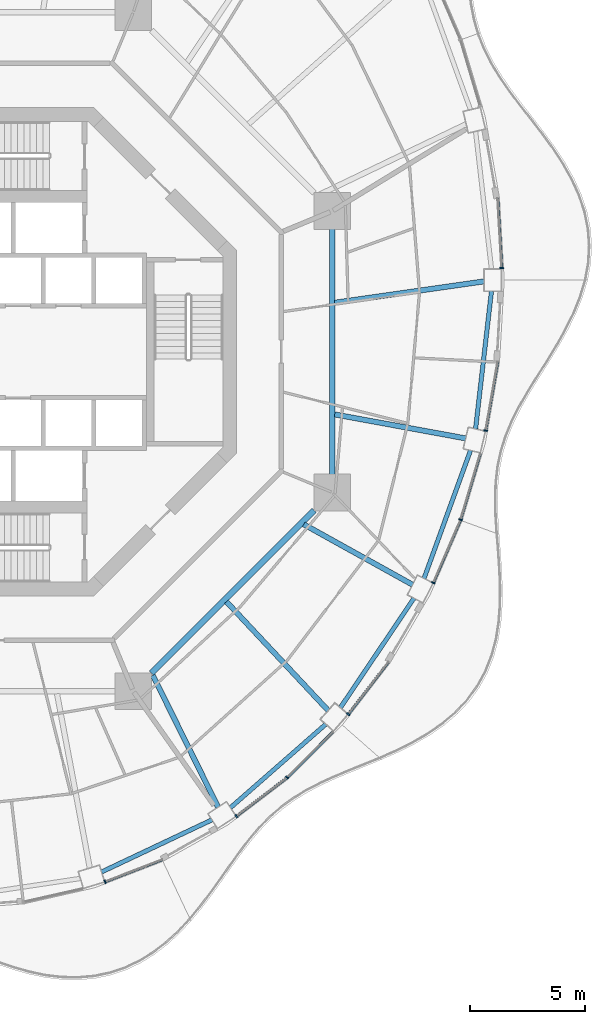
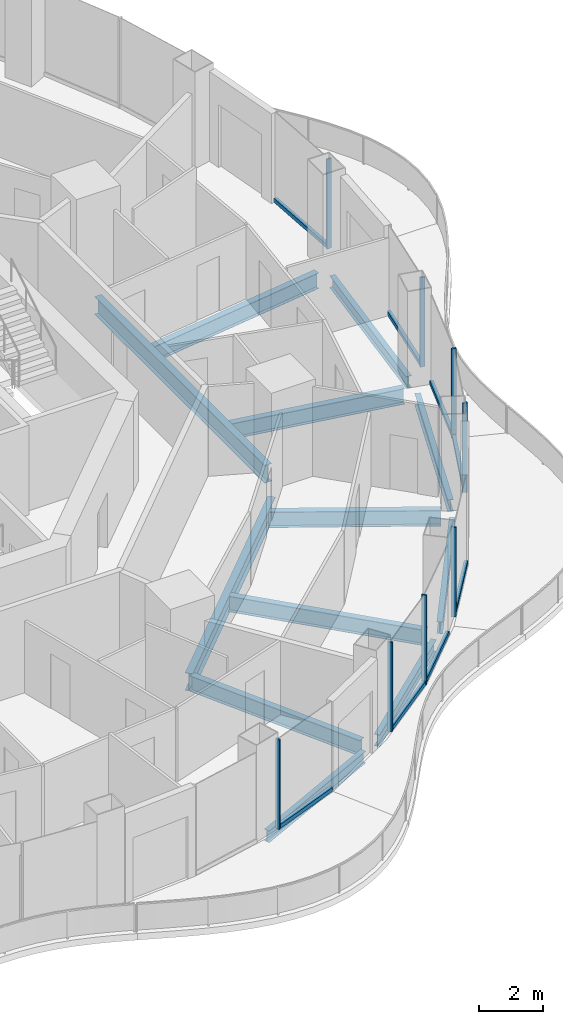
# One storey, part 4 of 18: 16 members, 12 beams, 8 elements without a shape of their own.
"""IFC4 building model written with IfcOpenShell, lengths in metres."""

from ifc_helpers import new_model, si_unit, direction, frame, origin, origin_2d, place, context, subcontext, project, spatial, rectangle, i_section, extrude, material, layer, layer_set, material_profile, profile_set, type_object, element, aggregate, save


model = new_model("IFC4")

# Units and contexts
model_context = context("Model", 3, precision=1e-05, world=origin(), true_north=direction((0.0, 1.0)))
body_context = subcontext(model_context, "Body", "Model", "MODEL_VIEW")
ifc_project = project(units=[si_unit("LENGTHUNIT", "METRE"), si_unit("AREAUNIT", "SQUARE_METRE"), si_unit("VOLUMEUNIT", "CUBIC_METRE"), si_unit("PLANEANGLEUNIT", "RADIAN"), si_unit("MASSUNIT", "GRAM", prefix="KILO")], contexts=[model_context])

# Site, building, storey
site_placement = place(None, origin())
site = spatial("IfcSite", under=ifc_project, at=site_placement, CompositionType="ELEMENT")
building_placement = place(site_placement, origin())
building = spatial("IfcBuilding", under=site, at=building_placement, Name="Nagisa Residences", CompositionType="ELEMENT")
storey_placement = place(building_placement, frame((0.0, 0.0, 215.89990234375)))
storey = spatial("IfcBuildingStorey", under=building, at=storey_placement, Name="L54", CompositionType="ELEMENT", Elevation=215.89990234375)

# Curtain wall, member
ifc_material_1 = material(Name="Concrete-coloured aluminium curtain wall system", Category="concrete")
ifc_layer = layer(ifc_material_1, 0.159912109375)
ifc_layer_set = layer_set([ifc_layer], Name="CW1 CURTAIN WALL")
curtain_wall_type = type_object("IfcCurtainWallType", Name="CW1 CURTAIN WALL", PredefinedType="NOTDEFINED", material=ifc_layer_set)
curtain_wall_1_placement = place(storey_placement, origin())
curtain_wall_1 = element("IfcCurtainWall", 1, at=curtain_wall_1_placement, inside=storey, type_object=curtain_wall_type, Name="cw:CW1:L54:00", PredefinedType="NOTDEFINED")
ifc_material_2 = material(Name="Concrete-coloured aluminium", Category="concrete")
ifc_material_profile_1 = material_profile(ifc_material_2, rectangle(XDim=0.159912109375, YDim=0.06005859375, at=origin_2d()), Name="CW1 MULLION 160x60")
ifc_profile_set_1 = profile_set([ifc_material_profile_1], Name="Concrete-coloured aluminium")
member_type_1 = type_object("IfcMemberType", Name="CW1 MULLION 160x60", PredefinedType="MULLION", material=ifc_profile_set_1)
member_1_placement = place(storey_placement, frame((22.15966796875, 3.642333984375, 0.0), z_axis=(0.0, 0.0, 1.0), x_axis=(-0.998345305184, -0.057503492216, 0.0)))
member_1 = element("IfcMember", 2, at=member_1_placement, type_object=member_type_1, Name="CW1 mullion", PredefinedType="MULLION", context=body_context, shape_type="SweptSolid", body=[
    extrude(rectangle(XDim=0.159912109375, YDim=0.06005859375, at=origin_2d()), origin(), (0.0, 0.0, 1.0), 3.440185546875),
])

curtain_wall_2_placement = place(storey_placement, origin())
curtain_wall_2 = element("IfcCurtainWall", 3, at=curtain_wall_2_placement, inside=storey, type_object=curtain_wall_type, Name="cw:CW1:L54:38", PredefinedType="NOTDEFINED")
member_2_placement = place(storey_placement, frame((4.895263671875, -23.073486328125, 0.0), z_axis=(0.0, 0.0, 1.0), x_axis=(-0.360327770268, 0.932825759707, 0.0)))
member_2 = element("IfcMember", 4, at=member_2_placement, type_object=member_type_1, Name="CW1 mullion", PredefinedType="MULLION", context=body_context, shape_type="SweptSolid", body=[
    extrude(rectangle(XDim=0.159912109375, YDim=0.06005859375, at=origin_2d()), origin(), (0.0, 0.0, 1.0), 3.440185546875),
])

curtain_wall_3_placement = place(storey_placement, origin())
curtain_wall_3 = element("IfcCurtainWall", 5, at=curtain_wall_3_placement, inside=storey, type_object=curtain_wall_type, Name="cw:CW1:L54:40", PredefinedType="NOTDEFINED")
member_3_placement = place(storey_placement, frame((10.6083984375, -20.21826171875, 0.0), z_axis=(0.0, 0.0, 1.0), x_axis=(-0.605255421737, 0.79603132756, 0.0)))
member_3 = element("IfcMember", 6, at=member_3_placement, type_object=member_type_1, Name="CW1 mullion", PredefinedType="MULLION", context=body_context, shape_type="SweptSolid", body=[
    extrude(rectangle(XDim=0.159912109375, YDim=0.06005859375, at=origin_2d()), origin(), (0.0, 0.0, 1.0), 3.440185546875),
])

curtain_wall_4_placement = place(storey_placement, origin())
curtain_wall_4 = element("IfcCurtainWall", 7, at=curtain_wall_4_placement, inside=storey, type_object=curtain_wall_type, Name="cw:CW1:L54:41", PredefinedType="NOTDEFINED")
member_4_placement = place(storey_placement, frame((12.817626953125, -18.534423828125, 0.0), z_axis=(0.0, 0.0, 1.0), x_axis=(-0.706376885714, 0.707835924016, 0.0)))
member_4 = element("IfcMember", 8, at=member_4_placement, type_object=member_type_1, Name="CW1 mullion", PredefinedType="MULLION", context=body_context, shape_type="SweptSolid", body=[
    extrude(rectangle(XDim=0.159912109375, YDim=0.06005859375, at=origin_2d()), origin(), (0.0, 0.0, 1.0), 3.440185546875),
])

curtain_wall_5_placement = place(storey_placement, origin())
curtain_wall_5 = element("IfcCurtainWall", 9, at=curtain_wall_5_placement, inside=storey, type_object=curtain_wall_type, Name="cw:CW1:L54:42", PredefinedType="NOTDEFINED")
member_5_placement = place(storey_placement, frame((15.480224609375, -15.78125, 0.0), z_axis=(0.0, 0.0, 1.0), x_axis=(-0.792070340816, 0.610429828235, 0.0)))
member_5 = element("IfcMember", 10, at=member_5_placement, type_object=member_type_1, Name="CW1 mullion", PredefinedType="MULLION", context=body_context, shape_type="SweptSolid", body=[
    extrude(rectangle(XDim=0.159912109375, YDim=0.06005859375, at=origin_2d()), origin(), (0.0, 0.0, 1.0), 3.440185546875),
])

curtain_wall_6_placement = place(storey_placement, origin())
curtain_wall_6 = element("IfcCurtainWall", 11, at=curtain_wall_6_placement, inside=storey, type_object=curtain_wall_type, Name="cw:CW1:L54:44", PredefinedType="NOTDEFINED")
member_6_placement = place(storey_placement, frame((19.1826171875, -10.05908203125, 0.0), z_axis=(0.0, 0.0, 1.0), x_axis=(-0.917543276295, 0.397635934147, 0.0)))
member_6 = element("IfcMember", 12, at=member_6_placement, type_object=member_type_1, Name="CW1 mullion", PredefinedType="MULLION", context=body_context, shape_type="SweptSolid", body=[
    extrude(rectangle(XDim=0.159912109375, YDim=0.06005859375, at=origin_2d()), origin(), (0.0, 0.0, 1.0), 3.440185546875),
])

curtain_wall_7_placement = place(storey_placement, origin())
curtain_wall_7 = element("IfcCurtainWall", 13, at=curtain_wall_7_placement, inside=storey, type_object=curtain_wall_type, Name="cw:CW1:L54:45", PredefinedType="NOTDEFINED")
member_7_placement = place(storey_placement, frame((20.36962890625, -7.3125, 0.0), z_axis=(0.0, 0.0, 1.0), x_axis=(-0.958271310082, 0.285860274038, 0.0)))
member_7 = element("IfcMember", 14, at=member_7_placement, type_object=member_type_1, Name="CW1 mullion", PredefinedType="MULLION", context=body_context, shape_type="SweptSolid", body=[
    extrude(rectangle(XDim=0.159912109375, YDim=0.06005859375, at=origin_2d()), origin(), (0.0, 0.0, 1.0), 3.440185546875),
])

curtain_wall_8_placement = place(storey_placement, origin())
curtain_wall_8 = element("IfcCurtainWall", 15, at=curtain_wall_8_placement, inside=storey, type_object=curtain_wall_type, Name="cw:CW1:L54:46", PredefinedType="NOTDEFINED")
member_8_placement = place(storey_placement, frame((21.46240234375, -3.435546875, 0.0), z_axis=(0.0, 0.0, 1.0), x_axis=(-0.985063604377, 0.172190868898, 0.0)))
member_8 = element("IfcMember", 16, at=member_8_placement, type_object=member_type_1, Name="CW1 mullion", PredefinedType="MULLION", context=body_context, shape_type="SweptSolid", body=[
    extrude(rectangle(XDim=0.159912109375, YDim=0.06005859375, at=origin_2d()), origin(), (0.0, 0.0, 1.0), 3.440185546875),
])

# Member
ifc_material_3 = material(Name="Concrete-coloured aluminium", Category="concrete")
ifc_material_profile_2 = material_profile(ifc_material_3, rectangle(XDim=0.1201171875, YDim=0.14990234375, at=origin_2d()), Name="CW1 TRANSOM 120x150")
ifc_profile_set_2 = profile_set([ifc_material_profile_2], Name="Concrete-coloured aluminium")
member_type_2 = type_object("IfcMemberType", Name="CW1 TRANSOM 120x150", PredefinedType="USERDEFINED", material=ifc_profile_set_2)
member_9_placement = place(storey_placement, frame((22.161376953125, 3.6123046875, 0.0751953125), z_axis=(-0.057528189427, 0.998343882348, 0.0), x_axis=(-0.998343882348, -0.057528189427, 0.0)))
member_9 = element("IfcMember", 17, at=member_9_placement, type_object=member_type_2, Name="CW1 transom", ObjectType="TRANSOM", PredefinedType="USERDEFINED", context=body_context, shape_type="SweptSolid", body=[
    extrude(rectangle(XDim=0.1201171875, YDim=0.14990234375, at=origin_2d()), origin(), (0.0, 0.0, 1.0), 3.0810546875),
])

aggregate(curtain_wall_1, [member_1, member_9])

member_10_placement = place(storey_placement, frame((4.867431640625, -23.084228515625, 0.0751953125), z_axis=(0.932826499224, 0.360325855782, 0.0), x_axis=(-0.360325855782, 0.932826499224, 0.0)))
member_10 = element("IfcMember", 18, at=member_10_placement, type_object=member_type_2, Name="CW1 transom", ObjectType="TRANSOM", PredefinedType="USERDEFINED", context=body_context, shape_type="SweptSolid", body=[
    extrude(rectangle(XDim=0.1201171875, YDim=0.14990234375, at=origin_2d()), origin(), (0.0, 0.0, 1.0), 2.696044921875),
])

aggregate(curtain_wall_2, [member_2, member_10])

member_11_placement = place(storey_placement, frame((10.584716796875, -20.236328125, 0.0751953125), z_axis=(0.796032266948, 0.605254186253, 0.0), x_axis=(-0.605254186253, 0.796032266948, 0.0)))
member_11 = element("IfcMember", 19, at=member_11_placement, type_object=member_type_2, Name="CW1 transom", ObjectType="TRANSOM", PredefinedType="USERDEFINED", context=body_context, shape_type="SweptSolid", body=[
    extrude(rectangle(XDim=0.1201171875, YDim=0.14990234375, at=origin_2d()), origin(), (0.0, 0.0, 1.0), 2.78857421875),
])

aggregate(curtain_wall_3, [member_3, member_11])

member_12_placement = place(storey_placement, frame((12.79638671875, -18.5556640625, 0.0751953125), z_axis=(0.707836044127, 0.706376765356, 0.0), x_axis=(-0.706376765356, 0.707836044127, 0.0)))
member_12 = element("IfcMember", 20, at=member_12_placement, type_object=member_type_2, Name="CW1 transom", ObjectType="TRANSOM", PredefinedType="USERDEFINED", context=body_context, shape_type="SweptSolid", body=[
    extrude(rectangle(XDim=0.1201171875, YDim=0.14990234375, at=origin_2d()), origin(), (0.0, 0.0, 1.0), 2.84423828125),
])

aggregate(curtain_wall_4, [member_4, member_12])

member_13_placement = place(storey_placement, frame((15.4619140625, -15.80517578125, 0.0751953125), z_axis=(0.610438565676, 0.792063607001, 0.0), x_axis=(-0.792063607001, 0.610438565676, 0.0)))
member_13 = element("IfcMember", 21, at=member_13_placement, type_object=member_type_2, Name="CW1 transom", ObjectType="TRANSOM", PredefinedType="USERDEFINED", context=body_context, shape_type="SweptSolid", body=[
    extrude(rectangle(XDim=0.1201171875, YDim=0.14990234375, at=origin_2d()), origin(), (0.0, 0.0, 1.0), 2.90087890625),
])

aggregate(curtain_wall_5, [member_5, member_13])

member_14_placement = place(storey_placement, frame((19.170654296875, -10.086669921875, 0.0751953125), z_axis=(0.397616567135, 0.917551669139, 0.0), x_axis=(-0.917551669139, 0.397616567135, 0.0)))
member_14 = element("IfcMember", 22, at=member_14_placement, type_object=member_type_2, Name="CW1 transom", ObjectType="TRANSOM", PredefinedType="USERDEFINED", context=body_context, shape_type="SweptSolid", body=[
    extrude(rectangle(XDim=0.1201171875, YDim=0.14990234375, at=origin_2d()), origin(), (0.0, 0.0, 1.0), 3.001953125),
])

aggregate(curtain_wall_6, [member_6, member_14])

member_15_placement = place(storey_placement, frame((20.361083984375, -7.341064453125, 0.0751953125), z_axis=(0.285881452443, 0.958264992134, 0.0), x_axis=(-0.958264992134, 0.285881452443, 0.0)))
member_15 = element("IfcMember", 23, at=member_15_placement, type_object=member_type_2, Name="CW1 transom", ObjectType="TRANSOM", PredefinedType="USERDEFINED", context=body_context, shape_type="SweptSolid", body=[
    extrude(rectangle(XDim=0.1201171875, YDim=0.14990234375, at=origin_2d()), origin(), (0.0, 0.0, 1.0), 3.040283203125),
])

aggregate(curtain_wall_7, [member_7, member_15])

member_16_placement = place(storey_placement, frame((21.45703125, -3.465087890625, 0.0751953125), z_axis=(0.172241318156, 0.985054784426, 0.0), x_axis=(-0.985054784426, 0.172241318156, 0.0)))
member_16 = element("IfcMember", 24, at=member_16_placement, type_object=member_type_2, Name="CW1 transom", ObjectType="TRANSOM", PredefinedType="USERDEFINED", context=body_context, shape_type="SweptSolid", body=[
    extrude(rectangle(XDim=0.1201171875, YDim=0.14990234375, at=origin_2d()), origin(), (0.0, 0.0, 1.0), 3.0673828125),
])

aggregate(curtain_wall_8, [member_8, member_16])

# Beams
ifc_material_4 = material(Name="Steel ASTM A572 Gr 50", Category="steel")
ifc_material_profile_3 = material_profile(ifc_material_4, i_section(OverallWidth=0.2529296875, OverallDepth=0.677978515625, WebThickness=0.01171875, FlangeThickness=0.016357421875, at=origin_2d()), Name="W690x125")
ifc_profile_set_3 = profile_set([ifc_material_profile_3], Name="Steel ASTM A572 Gr 50")
beam_type_1 = type_object("IfcBeamType", Name="Inner ring beam W690x125", PredefinedType="BEAM", material=ifc_profile_set_3)
beam_1_placement = place(storey_placement, frame((6.90869140625, -13.99609375, -0.598876953125), z_axis=(0.707106781187, 0.707106781187, 0.0), x_axis=(-0.707106781187, 0.707106781187, 0.0)))
element("IfcBeam", 25, at=beam_1_placement, inside=storey, type_object=beam_type_1, Name="beam:L54:ib7", PredefinedType="BEAM", context=body_context, shape_type="SweptSolid", body=[
    extrude(i_section(OverallWidth=0.2529296875, OverallDepth=0.677978515625, WebThickness=0.01171875, FlangeThickness=0.016357421875, at=origin_2d()), origin(), (0.0, 0.0, 1.0), 10.023193359375),
])
beam_2_placement = place(storey_placement, frame((14.781982421875, -5.343017578125, -0.598876953125), z_axis=(0.0, 1.0, 0.0), x_axis=(-1.0, 0.0, 0.0)))
element("IfcBeam", 26, at=beam_2_placement, inside=storey, type_object=beam_type_1, Name="beam:L54:ib8", PredefinedType="BEAM", context=body_context, shape_type="SweptSolid", body=[
    extrude(i_section(OverallWidth=0.2529296875, OverallDepth=0.677978515625, WebThickness=0.01171875, FlangeThickness=0.016357421875, at=origin_2d()), origin(), (0.0, 0.0, 1.0), 10.68603515625),
])
ifc_material_5 = material(Name="Steel ASTM A572 Gr 50", Category="steel")
ifc_material_profile_4 = material_profile(ifc_material_5, i_section(OverallWidth=0.18994140625, OverallDepth=0.45703125, WebThickness=0.009033203125, FlangeThickness=0.014404296875, at=origin_2d()), Name="W460x74")
ifc_profile_set_4 = profile_set([ifc_material_profile_4], Name="Steel ASTM A572 Gr 50")
beam_type_2 = type_object("IfcBeamType", Name="Perimeter ring beam W460x74", PredefinedType="BEAM", material=ifc_profile_set_4)
beam_3_placement = place(storey_placement, frame((4.7392578125, -22.648681640625, -0.48828125), z_axis=(0.904133867308, 0.42724928319, 0.0), x_axis=(-0.42724928319, 0.904133867308, 0.0)))
element("IfcBeam", 27, at=beam_3_placement, inside=storey, type_object=beam_type_2, Name="beam:L54:pb20", PredefinedType="BEAM", context=body_context, shape_type="SweptSolid", body=[
    extrude(i_section(OverallWidth=0.18994140625, OverallDepth=0.45703125, WebThickness=0.009033203125, FlangeThickness=0.014404296875, at=origin_2d()), origin(), (0.0, 0.0, 1.0), 5.317138671875),
])
beam_4_placement = place(storey_placement, frame((10.349853515625, -19.850341796875, -0.48828125), z_axis=(0.75242320672, 0.65867998147, 0.0), x_axis=(-0.65867998147, 0.75242320672, 0.0)))
element("IfcBeam", 28, at=beam_4_placement, inside=storey, type_object=beam_type_2, Name="beam:L54:pb21", PredefinedType="BEAM", context=body_context, shape_type="SweptSolid", body=[
    extrude(i_section(OverallWidth=0.18994140625, OverallDepth=0.45703125, WebThickness=0.009033203125, FlangeThickness=0.014404296875, at=origin_2d()), origin(), (0.0, 0.0, 1.0), 5.5185546875),
])
beam_5_placement = place(storey_placement, frame((15.13671875, -15.49462890625, -0.48828125), z_axis=(0.558109119402, 0.829767564345, 0.0), x_axis=(-0.829767564345, 0.558109119402, 0.0)))
element("IfcBeam", 29, at=beam_5_placement, inside=storey, type_object=beam_type_2, Name="beam:L54:pb22", PredefinedType="BEAM", context=body_context, shape_type="SweptSolid", body=[
    extrude(i_section(OverallWidth=0.18994140625, OverallDepth=0.45703125, WebThickness=0.009033203125, FlangeThickness=0.014404296875, at=origin_2d()), origin(), (0.0, 0.0, 1.0), 5.74365234375),
])
beam_6_placement = place(storey_placement, frame((18.77734375, -9.87255859375, -0.48828125), z_axis=(0.341290329164, 0.939957930558, 0.0), x_axis=(-0.939957930558, 0.341290329164, 0.0)))
element("IfcBeam", 30, at=beam_6_placement, inside=storey, type_object=beam_type_2, Name="beam:L54:pb23", PredefinedType="BEAM", context=body_context, shape_type="SweptSolid", body=[
    extrude(i_section(OverallWidth=0.18994140625, OverallDepth=0.45703125, WebThickness=0.009033203125, FlangeThickness=0.014404296875, at=origin_2d()), origin(), (0.0, 0.0, 1.0), 5.932373046875),
])
beam_7_placement = place(storey_placement, frame((21.022216796875, -3.36181640625, -0.48828125), z_axis=(0.114650193512, 0.993405925656, 0.0), x_axis=(-0.993405925656, 0.114650193512, 0.0)))
element("IfcBeam", 31, at=beam_7_placement, inside=storey, type_object=beam_type_2, Name="beam:L54:pb24", PredefinedType="BEAM", context=body_context, shape_type="SweptSolid", body=[
    extrude(i_section(OverallWidth=0.18994140625, OverallDepth=0.45703125, WebThickness=0.009033203125, FlangeThickness=0.014404296875, at=origin_2d()), origin(), (0.0, 0.0, 1.0), 6.0390625),
])
ifc_material_6 = material(Name="Steel ASTM A572 Gr 50", Category="steel")
ifc_material_profile_5 = material_profile(ifc_material_6, i_section(OverallWidth=0.22802734375, OverallDepth=0.60302734375, WebThickness=0.010498046875, FlangeThickness=0.014892578125, at=origin_2d()), Name="W610x101")
ifc_profile_set_5 = profile_set([ifc_material_profile_5], Name="Steel ASTM A572 Gr 50")
beam_type_3 = type_object("IfcBeamType", Name="Radial beam W610x101", PredefinedType="BEAM", material=ifc_profile_set_5)
beam_8_placement = place(storey_placement, frame((21.389892578125, 3.063232421875, -0.5615234375), z_axis=(-0.989903345459, -0.141744018034, 0.0), x_axis=(0.141744018034, -0.989903345459, 0.0)))
element("IfcBeam", 32, at=beam_8_placement, inside=storey, type_object=beam_type_3, Name="beam:L54:rb01", PredefinedType="BEAM", context=body_context, shape_type="SweptSolid", body=[
    extrude(i_section(OverallWidth=0.22802734375, OverallDepth=0.60302734375, WebThickness=0.010498046875, FlangeThickness=0.014892578125, at=origin_2d()), origin(), (0.0, 0.0, 1.0), 6.567626953125),
])
beam_9_placement = place(storey_placement, frame((9.815185546875, -19.826416015625, -0.5615234375), z_axis=(-0.443658666969, 0.896195842003, 0.0), x_axis=(-0.896195842003, -0.443658666969, 0.0)))
element("IfcBeam", 33, at=beam_9_placement, inside=storey, type_object=beam_type_3, Name="beam:L54:rb21", PredefinedType="BEAM", context=body_context, shape_type="SweptSolid", body=[
    extrude(i_section(OverallWidth=0.22802734375, OverallDepth=0.60302734375, WebThickness=0.010498046875, FlangeThickness=0.014892578125, at=origin_2d()), origin(), (0.0, 0.0, 1.0), 6.406982421875),
])
beam_10_placement = place(storey_placement, frame((14.605712890625, -15.617431640625, -0.5615234375), z_axis=(-0.683072943543, 0.730350158349, 0.0), x_axis=(-0.730350158349, -0.683072943543, 0.0)))
element("IfcBeam", 34, at=beam_10_placement, inside=storey, type_object=beam_type_3, Name="beam:L54:rb22", PredefinedType="BEAM", context=body_context, shape_type="SweptSolid", body=[
    extrude(i_section(OverallWidth=0.22802734375, OverallDepth=0.60302734375, WebThickness=0.010498046875, FlangeThickness=0.014892578125, at=origin_2d()), origin(), (0.0, 0.0, 1.0), 6.486083984375),
])
beam_11_placement = place(storey_placement, frame((18.27978515625, -10.142822265625, -0.5615234375), z_axis=(-0.874405859214, 0.485195211614, 0.0), x_axis=(-0.485195211614, -0.874405859214, 0.0)))
element("IfcBeam", 35, at=beam_11_placement, inside=storey, type_object=beam_type_3, Name="beam:L54:rb23", PredefinedType="BEAM", context=body_context, shape_type="SweptSolid", body=[
    extrude(i_section(OverallWidth=0.22802734375, OverallDepth=0.60302734375, WebThickness=0.010498046875, FlangeThickness=0.014892578125, at=origin_2d()), origin(), (0.0, 0.0, 1.0), 5.417724609375),
])
beam_12_placement = place(storey_placement, frame((20.592529296875, -3.7734375, -0.5615234375), z_axis=(-0.983621738755, 0.180245041675, 0.0), x_axis=(-0.180245041675, -0.983621738755, 0.0)))
element("IfcBeam", 36, at=beam_12_placement, inside=storey, type_object=beam_type_3, Name="beam:L54:rb24", PredefinedType="BEAM", context=body_context, shape_type="SweptSolid", body=[
    extrude(i_section(OverallWidth=0.22802734375, OverallDepth=0.60302734375, WebThickness=0.010498046875, FlangeThickness=0.014892578125, at=origin_2d()), origin(), (0.0, 0.0, 1.0), 5.798583984375),
])

save(model, "model.ifc")
